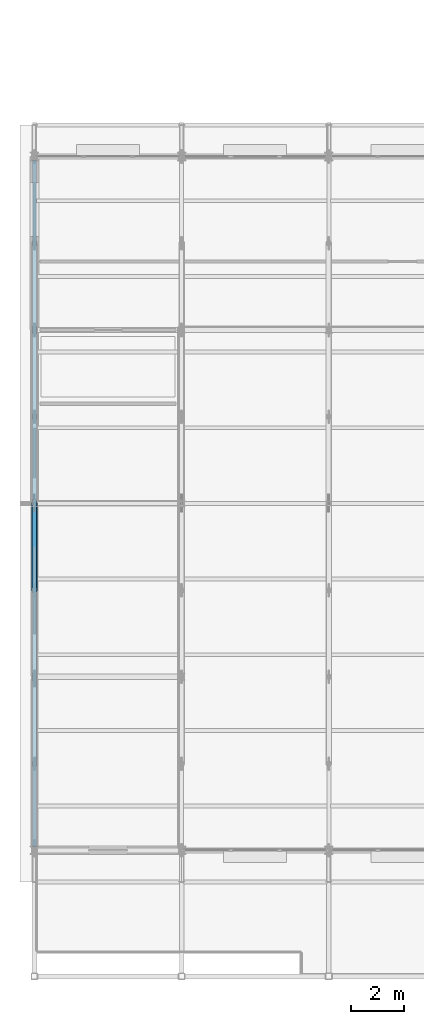
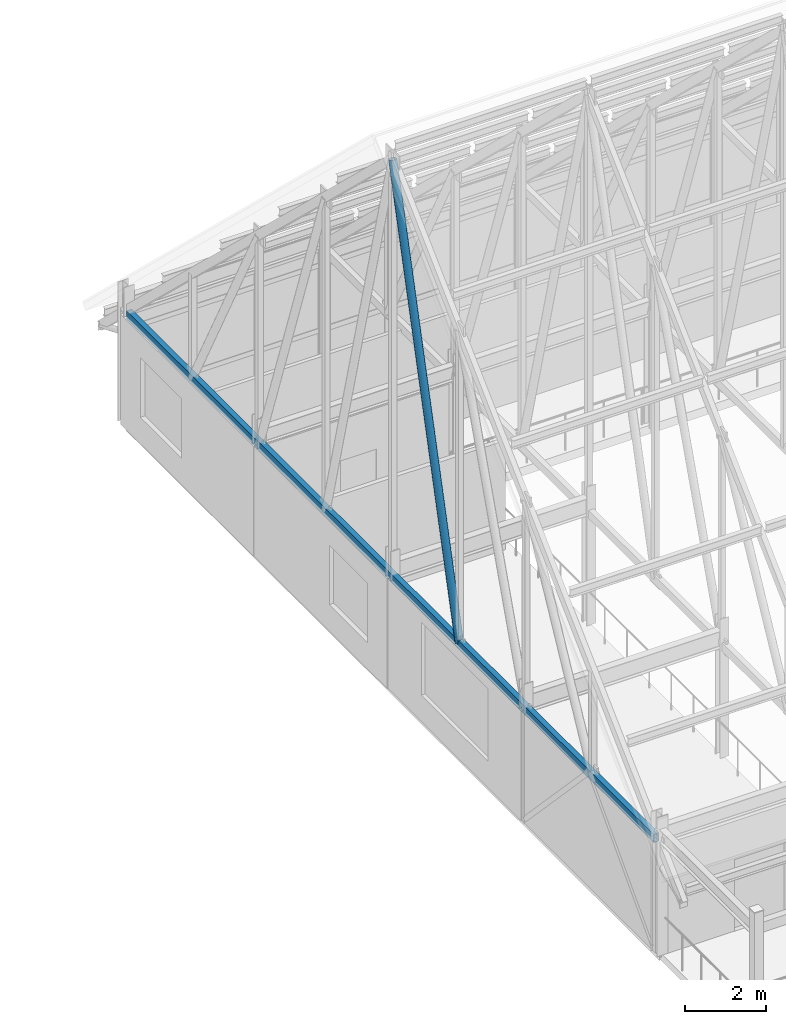
# One storey, part 26 of 144: 2 members.
"""IFC4 building model written with IfcOpenShell, lengths in metres."""

from ifc_helpers import new_model, si_unit, direction, frame, origin, origin_2d, place, context, subcontext, project, spatial, hollow_rectangle, hollow_circle, extrude, material, material_profile, profile_set, type_object, element, save


model = new_model("IFC4")

# Units and contexts
model_context = context("Model", 3, precision=1e-05, world=origin(), true_north=direction((0.0, 1.0)))
body_context = subcontext(model_context, "Body", "Model", "MODEL_VIEW")
ifc_project = project(units=[si_unit("LENGTHUNIT", "METRE"), si_unit("AREAUNIT", "SQUARE_METRE"), si_unit("VOLUMEUNIT", "CUBIC_METRE"), si_unit("PLANEANGLEUNIT", "RADIAN"), si_unit("MASSUNIT", "GRAM", prefix="KILO")], contexts=[model_context])

# Site, building, storey
site_placement = place(None, origin())
site = spatial("IfcSite", under=ifc_project, at=site_placement, CompositionType="ELEMENT")
building_placement = place(site_placement, origin())
building = spatial("IfcBuilding", under=site, at=building_placement, Name="Trelmorton Wharf Fire Station", CompositionType="ELEMENT")
storey_placement = place(building_placement, frame((0.0, 0.0, 5.39990234375)))
storey = spatial("IfcBuildingStorey", under=building, at=storey_placement, Name="L01", CompositionType="ELEMENT", Elevation=5.39990234375)

# Members
ifc_material = material(Name="Steel C350L0 (350 MPa)", Category="steel")
ifc_material_profile_1 = material_profile(ifc_material, hollow_rectangle(XDim=0.14990234375, YDim=0.25, WallThickness=0.009033203125, at=origin_2d()), Name="250x150x9.0RHS")
ifc_profile_set_1 = profile_set([ifc_material_profile_1], Name="Steel C350L0 (350 MPa)")
member_type_1 = type_object("IfcMemberType", Name="TR_CHORD_250RHS", PredefinedType="CHORD", material=ifc_profile_set_1)
member_1_placement = place(storey_placement, frame((0.800048828125, 7.95361328125, 3.351806640625), z_axis=(0.0, 1.0, 0.0), x_axis=(-1.0, 0.0, 0.0)))
element("IfcMember", 1, at=member_1_placement, inside=storey, type_object=member_type_1, Name="V1-TR01-BC", PredefinedType="CHORD", context=body_context, shape_type="SweptSolid", body=[
    extrude(hollow_rectangle(XDim=0.14990234375, YDim=0.25, WallThickness=0.009033203125, at=origin_2d()), origin(), (0.0, 0.0, 1.0), 26.0927734375),
])
ifc_material_profile_2 = material_profile(ifc_material, hollow_circle(Radius=0.109619140625, WallThickness=0.00830078125, at=origin_2d()), Name="219.1x8.2CHS")
ifc_profile_set_2 = profile_set([ifc_material_profile_2], Name="Steel C350L0 (350 MPa)")
member_type_2 = type_object("IfcMemberType", Name="TR_DIAG_219CHS", PredefinedType="STRUT", material=ifc_profile_set_2)
member_2_placement = place(storey_placement, frame((0.800048828125, 17.699951171875, 3.351806640625), z_axis=(0.0, 0.25336106238, 0.967371785856), x_axis=(-1.0, 0.0, 0.0)))
element("IfcMember", 2, at=member_2_placement, inside=storey, type_object=member_type_2, Name="V1-TR01-DG-S3", PredefinedType="STRUT", context=body_context, shape_type="SweptSolid", body=[
    extrude(hollow_circle(Radius=0.109619140625, WallThickness=0.00830078125, at=origin_2d()), origin(), (0.0, 0.0, 1.0), 13.025146484375),
])

save(model, "model.ifc")
